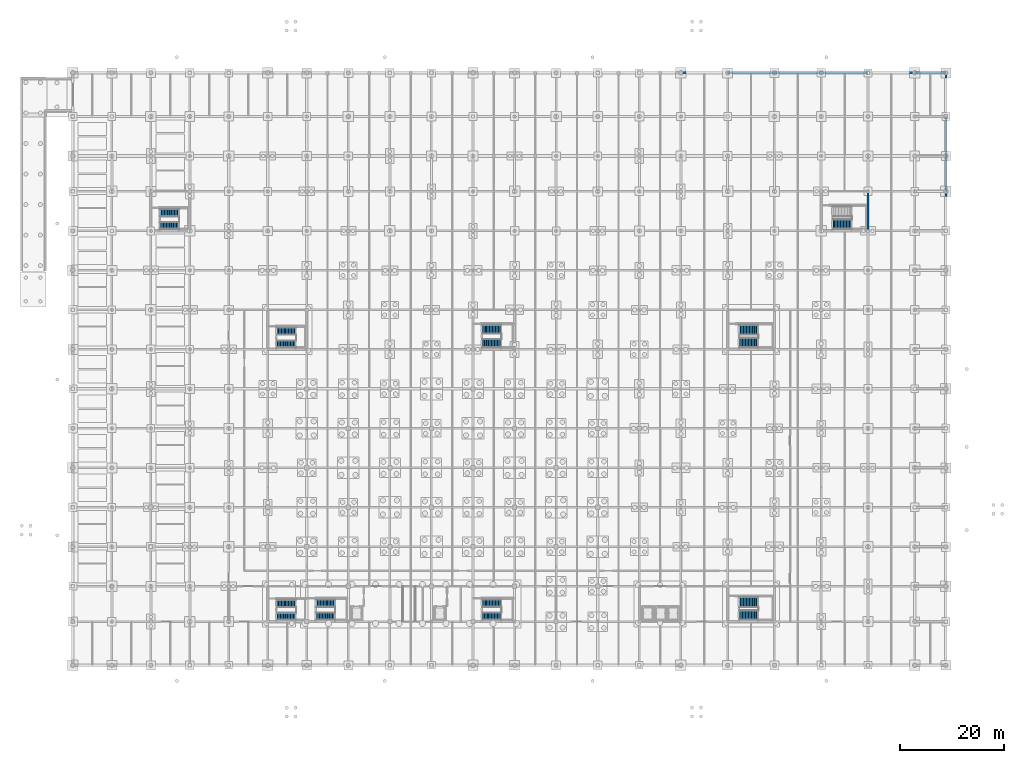
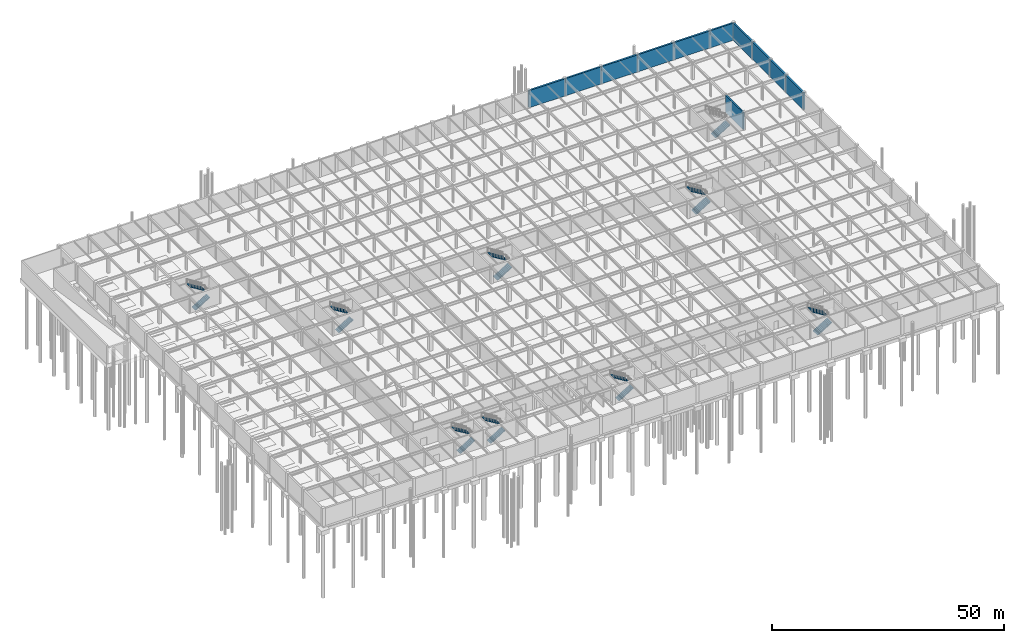
# One storey, part 47 of 53: 17 stair flights, 11 walls, 9 elements without a shape of their own.
"""IFC4 building model written with IfcOpenShell, lengths in metres."""

from ifc_helpers import new_model, si_unit, direction, frame, frame_2d, origin, place, context, subcontext, project, spatial, polyline, rectangle, outline, extrude, material, layer, layer_set, type_object, element, aggregate, save


model = new_model("IFC4")

# Units and contexts
model_context = context("Model", 3, precision=1e-05, world=origin(), true_north=direction((0.0, 1.0)))
body_context = subcontext(model_context, "Body", "Model", "MODEL_VIEW")
ifc_project = project(units=[si_unit("LENGTHUNIT", "METRE"), si_unit("AREAUNIT", "SQUARE_METRE"), si_unit("VOLUMEUNIT", "CUBIC_METRE"), si_unit("PLANEANGLEUNIT", "RADIAN"), si_unit("MASSUNIT", "GRAM", prefix="KILO")], contexts=[model_context])

# Site, building, storey
site_placement = place(None, origin())
site = spatial("IfcSite", under=ifc_project, at=site_placement, CompositionType="ELEMENT")
building_placement = place(site_placement, origin())
building = spatial("IfcBuilding", under=site, at=building_placement, Name="Shalkamar Park Central Library", CompositionType="ELEMENT")
storey_placement = place(building_placement, frame((0.0, 0.0, -4.800048828125)))
storey = spatial("IfcBuildingStorey", under=building, at=storey_placement, Name="B1", CompositionType="ELEMENT", Elevation=-4.800048828125)

# Walls
ifc_material_1 = material(Name="Concrete C40/50", Category="concrete")
ifc_layer_1 = layer(ifc_material_1, 0.449951171875)
ifc_layer_set_1 = layer_set([ifc_layer_1], Name="Concrete C40/50")
wall_type_1 = type_object("IfcWallType", Name="Basement Retaining Shear Wall 450", PredefinedType="SHEAR", material=ifc_layer_set_1)
for number, where, z_axis, x_axis, name in (
    (1, (237.0, 354.0, 0.0), (0.0, 0.0, 1.0), (1.0, 0.0, 0.0), "Basement Retaining Wall N-16"),
    (2, (246.0, 354.0, 0.0), (0.0, 0.0, 1.0), (1.0, 0.0, 0.0), "Basement Retaining Wall N-17"),
    (3, (255.0, 354.0, 0.0), (0.0, 0.0, 1.0), (1.0, 0.0, 0.0), "Basement Retaining Wall N-18"),
    (4, (264.0, 354.0, 0.0), (0.0, 0.0, 1.0), (1.0, 0.0, 0.0), "Basement Retaining Wall N-19"),
    (5, (273.0, 354.0, 0.0), (0.0, 0.0, 1.0), (1.0, 0.0, 0.0), "Basement Retaining Wall N-20"),
):
    element("IfcWall", number, at=place(storey_placement, frame(where, z_axis=z_axis, x_axis=x_axis)), inside=storey, type_object=wall_type_1, Name=name, PredefinedType="SHEAR", context=body_context, shape_type="SweptSolid", body=[
        extrude(rectangle(XDim=9.0, YDim=0.449951171875, at=frame_2d((4.5, 0.0))), origin(), (0.0, 0.0, 1.0), 4.510009765625),
    ])
wall_1_placement = place(storey_placement, frame((282.0, 354.0, 0.0), z_axis=(0.0, 0.0, 1.0), x_axis=(1.0, 0.0, 0.0)))
element("IfcWall", 6, at=wall_1_placement, inside=storey, type_object=wall_type_1, Name="Basement Retaining Wall N-21", PredefinedType="SHEAR", context=body_context, shape_type="SweptSolid", body=[
    extrude(rectangle(XDim=6.0, YDim=0.449951171875, at=frame_2d((3.0, 0.0))), origin(), (0.0, 0.0, 1.0), 4.510009765625),
])
wall_2_placement = place(storey_placement, frame((288.0, 323.60009765625, 0.0), z_axis=(0.0, 0.0, 1.0), x_axis=(0.0, 1.0, 0.0)))
element("IfcWall", 7, at=wall_2_placement, inside=storey, type_object=wall_type_1, Name="Basement Retaining Wall E-M", PredefinedType="SHEAR", context=body_context, shape_type="SweptSolid", body=[
    extrude(rectangle(XDim=7.599853515625, YDim=0.449951171875, at=frame_2d((3.7998046875, 0.0))), origin(), (0.0, 0.0, 1.0), 4.510009765625),
])
wall_3_placement = place(storey_placement, frame((288.0, 331.199951171875, 0.0), z_axis=(0.0, 0.0, 1.0), x_axis=(0.0, 1.0, 0.0)))
element("IfcWall", 8, at=wall_3_placement, inside=storey, type_object=wall_type_1, Name="Basement Retaining Wall E-N", PredefinedType="SHEAR", context=body_context, shape_type="SweptSolid", body=[
    extrude(rectangle(XDim=6.800048828125, YDim=0.449951171875, at=frame_2d((3.39990234375, 0.0))), origin(), (0.0, 0.0, 1.0), 4.510009765625),
])
wall_4_placement = place(storey_placement, frame((288.0, 338.0, 0.0), z_axis=(0.0, 0.0, 1.0), x_axis=(0.0, 1.0, 0.0)))
element("IfcWall", 9, at=wall_4_placement, inside=storey, type_object=wall_type_1, Name="Basement Retaining Wall E-P", PredefinedType="SHEAR", context=body_context, shape_type="SweptSolid", body=[
    extrude(rectangle(XDim=7.60009765625, YDim=0.449951171875, at=frame_2d((3.800048828125, 0.0))), origin(), (0.0, 0.0, 1.0), 4.510009765625),
])
wall_5_placement = place(storey_placement, frame((288.0, 345.60009765625, 0.0), z_axis=(0.0, 0.0, 1.0), x_axis=(0.0, 1.0, 0.0)))
element("IfcWall", 10, at=wall_5_placement, inside=storey, type_object=wall_type_1, Name="Basement Retaining Wall E-Q", PredefinedType="SHEAR", context=body_context, shape_type="SweptSolid", body=[
    extrude(rectangle(XDim=8.39990234375, YDim=0.449951171875, at=frame_2d((4.199951171875, 0.0))), origin(), (0.0, 0.0, 1.0), 4.510009765625),
])
ifc_layer_2 = layer(ifc_material_1, 0.35009765625)
ifc_layer_set_2 = layer_set([ifc_layer_2], Name="Concrete C40/50")
wall_type_2 = type_object("IfcWallType", Name="Podium Core Shear Wall 350", PredefinedType="SHEAR", material=ifc_layer_set_2)
wall_6_placement = place(storey_placement, frame((273.0, 323.60009765625, 0.0), z_axis=(0.0, 0.0, 1.0), x_axis=(0.0, 1.0, 0.0)))
element("IfcWall", 11, at=wall_6_placement, inside=storey, type_object=wall_type_2, Name="CORE-P6 East Shear Wall (B1)", PredefinedType="SHEAR", context=body_context, shape_type="SweptSolid", body=[
    extrude(rectangle(XDim=7.599853515625, YDim=0.35009765625, at=frame_2d((3.7998046875, 0.0))), origin(), (0.0, 0.0, 1.0), 4.510009765625),
])

# Stair, stair flights
ifc_material_2 = material(Name="Concrete C35/45", Category="concrete")
stair_type_1 = type_object("IfcStairType", Name="Protected Dog Leg Stair 150x480", PredefinedType="TWO_STRAIGHT_RUN_STAIR", material=ifc_material_2)
stair_1_placement = place(storey_placement, origin())
stair_1 = element("IfcStair", 12, at=stair_1_placement, inside=storey, type_object=stair_type_1, Name="Protected Core Stair ST-T1-B1", PredefinedType="TWO_STRAIGHT_RUN_STAIR")
stair_flight_type_1 = type_object("IfcStairFlightType", Name="Straight Stair Flight 150x480", PredefinedType="STRAIGHT", material=ifc_material_2)
stair_flight_1_placement = place(storey_placement, frame((166.6201171875, 249.389892578125, 0.0), z_axis=(0.0, 0.0, 1.0), x_axis=(1.0, 0.0, 0.0)))
stair_flight_1 = element("IfcStairFlight", 13, at=stair_flight_1_placement, type_object=stair_flight_type_1, Name="ST-T1-B1 flight 1", NumberOfRisers=14, NumberOfTreads=13, PredefinedType="STRAIGHT", RiserHeight=0.171429, TreadLength=0.28, context=body_context, shape_type="SweptSolid", body=[
    extrude(outline(polyline([(0.0, 0.0), (0.0, 0.17138671875), (0.280029296875, 0.17138671875), (0.280029296875, 0.3427734375), (0.56005859375, 0.3427734375), (0.56005859375, 0.514404296875), (0.840087890625, 0.514404296875), (0.840087890625, 0.685791015625), (1.1201171875, 0.685791015625), (1.1201171875, 0.857177734375), (1.39990234375, 0.857177734375), (1.39990234375, 1.028564453125), (1.679931640625, 1.028564453125), (1.679931640625, 1.199951171875), (1.9599609375, 1.199951171875), (1.9599609375, 1.371337890625), (2.239990234375, 1.371337890625), (2.239990234375, 1.54296875), (2.52001953125, 1.54296875), (2.52001953125, 1.71435546875), (2.800048828125, 1.71435546875), (2.800048828125, 1.8857421875), (3.080078125, 1.8857421875), (3.080078125, 2.05712890625), (3.360107421875, 2.05712890625), (3.360107421875, 2.228515625), (3.639892578125, 2.228515625), (3.639892578125, 2.39990234375), (3.639892578125, 2.052734375), (0.287109375, 0.0), (0.0, 0.0)])), frame((0.0, 0.75, 0.0), z_axis=(0.0, -1.0, 0.0), x_axis=(1.0, 0.0, 0.0)), (0.0, 0.0, 1.0), 1.5),
])
stair_flight_2_placement = place(storey_placement, frame((170.43994140625, 251.909912109375, 2.400146484375), z_axis=(0.0, 0.0, 1.0), x_axis=(-1.0, 0.0, 0.0)))
stair_flight_2 = element("IfcStairFlight", 14, at=stair_flight_2_placement, type_object=stair_flight_type_1, Name="ST-T1-B1 flight 2", NumberOfRisers=14, NumberOfTreads=13, PredefinedType="STRAIGHT", RiserHeight=0.171429, TreadLength=0.28, context=body_context, shape_type="SweptSolid", body=[
    extrude(outline(polyline([(0.0, 0.0), (0.0, 0.17138671875), (0.280029296875, 0.17138671875), (0.280029296875, 0.3427734375), (0.56005859375, 0.3427734375), (0.56005859375, 0.514404296875), (0.840087890625, 0.514404296875), (0.840087890625, 0.685791015625), (1.1201171875, 0.685791015625), (1.1201171875, 0.857177734375), (1.39990234375, 0.857177734375), (1.39990234375, 1.028564453125), (1.679931640625, 1.028564453125), (1.679931640625, 1.199951171875), (1.9599609375, 1.199951171875), (1.9599609375, 1.371337890625), (2.239990234375, 1.371337890625), (2.239990234375, 1.54296875), (2.52001953125, 1.54296875), (2.52001953125, 1.71435546875), (2.800048828125, 1.71435546875), (2.800048828125, 1.8857421875), (3.080078125, 1.8857421875), (3.080078125, 2.05712890625), (3.360107421875, 2.05712890625), (3.360107421875, 2.228515625), (3.639892578125, 2.228515625), (3.639892578125, 2.39990234375), (3.639892578125, 2.052734375), (0.287109375, 0.0), (0.0, 0.0)])), frame((0.0, 0.75, 0.0), z_axis=(0.0, -1.0, 0.0), x_axis=(1.0, 0.0, 0.0)), (0.0, 0.0, 1.0), 1.5),
])
aggregate(stair_1, [stair_flight_1, stair_flight_2])

stair_2_placement = place(storey_placement, origin())
stair_2 = element("IfcStair", 15, at=stair_2_placement, inside=storey, type_object=stair_type_1, Name="Protected Core Stair ST-T2-B1", PredefinedType="TWO_STRAIGHT_RUN_STAIR")
stair_flight_3_placement = place(storey_placement, frame((198.6201171875, 249.389892578125, 0.0), z_axis=(0.0, 0.0, 1.0), x_axis=(1.0, 0.0, 0.0)))
stair_flight_3 = element("IfcStairFlight", 16, at=stair_flight_3_placement, type_object=stair_flight_type_1, Name="ST-T2-B1 flight 1", NumberOfRisers=14, NumberOfTreads=13, PredefinedType="STRAIGHT", RiserHeight=0.171429, TreadLength=0.28, context=body_context, shape_type="SweptSolid", body=[
    extrude(outline(polyline([(0.0, 0.0), (0.0, 0.17138671875), (0.280029296875, 0.17138671875), (0.280029296875, 0.3427734375), (0.56005859375, 0.3427734375), (0.56005859375, 0.514404296875), (0.840087890625, 0.514404296875), (0.840087890625, 0.685791015625), (1.1201171875, 0.685791015625), (1.1201171875, 0.857177734375), (1.39990234375, 0.857177734375), (1.39990234375, 1.028564453125), (1.679931640625, 1.028564453125), (1.679931640625, 1.199951171875), (1.9599609375, 1.199951171875), (1.9599609375, 1.371337890625), (2.239990234375, 1.371337890625), (2.239990234375, 1.54296875), (2.52001953125, 1.54296875), (2.52001953125, 1.71435546875), (2.800048828125, 1.71435546875), (2.800048828125, 1.8857421875), (3.080078125, 1.8857421875), (3.080078125, 2.05712890625), (3.360107421875, 2.05712890625), (3.360107421875, 2.228515625), (3.639892578125, 2.228515625), (3.639892578125, 2.39990234375), (3.639892578125, 2.052734375), (0.287109375, 0.0), (0.0, 0.0)])), frame((0.0, 0.75, 0.0), z_axis=(0.0, -1.0, 0.0), x_axis=(1.0, 0.0, 0.0)), (0.0, 0.0, 1.0), 1.5),
])
stair_flight_4_placement = place(storey_placement, frame((202.43994140625, 251.909912109375, 2.400146484375), z_axis=(0.0, 0.0, 1.0), x_axis=(-1.0, 0.0, 0.0)))
stair_flight_4 = element("IfcStairFlight", 17, at=stair_flight_4_placement, type_object=stair_flight_type_1, Name="ST-T2-B1 flight 2", NumberOfRisers=14, NumberOfTreads=13, PredefinedType="STRAIGHT", RiserHeight=0.171429, TreadLength=0.28, context=body_context, shape_type="SweptSolid", body=[
    extrude(outline(polyline([(0.0, 0.0), (0.0, 0.17138671875), (0.280029296875, 0.17138671875), (0.280029296875, 0.3427734375), (0.56005859375, 0.3427734375), (0.56005859375, 0.514404296875), (0.840087890625, 0.514404296875), (0.840087890625, 0.685791015625), (1.1201171875, 0.685791015625), (1.1201171875, 0.857177734375), (1.39990234375, 0.857177734375), (1.39990234375, 1.028564453125), (1.679931640625, 1.028564453125), (1.679931640625, 1.199951171875), (1.9599609375, 1.199951171875), (1.9599609375, 1.371337890625), (2.239990234375, 1.371337890625), (2.239990234375, 1.54296875), (2.52001953125, 1.54296875), (2.52001953125, 1.71435546875), (2.800048828125, 1.71435546875), (2.800048828125, 1.8857421875), (3.080078125, 1.8857421875), (3.080078125, 2.05712890625), (3.360107421875, 2.05712890625), (3.360107421875, 2.228515625), (3.639892578125, 2.228515625), (3.639892578125, 2.39990234375), (3.639892578125, 2.052734375), (0.287109375, 0.0), (0.0, 0.0)])), frame((0.0, 0.75, 0.0), z_axis=(0.0, -1.0, 0.0), x_axis=(1.0, 0.0, 0.0)), (0.0, 0.0, 1.0), 1.5),
])
aggregate(stair_2, [stair_flight_3, stair_flight_4])

stair_3_placement = place(storey_placement, origin())
stair_3 = element("IfcStair", 18, at=stair_3_placement, inside=storey, type_object=stair_type_1, Name="Protected Core Stair ST-P1-B1", PredefinedType="TWO_STRAIGHT_RUN_STAIR")
stair_flight_5_placement = place(storey_placement, frame((159.094970703125, 249.364990234375, 0.0), z_axis=(0.0, 0.0, 1.0), x_axis=(1.0, 0.0, 0.0)))
stair_flight_5 = element("IfcStairFlight", 19, at=stair_flight_5_placement, type_object=stair_flight_type_1, Name="ST-P1-B1 flight 1", NumberOfRisers=14, NumberOfTreads=13, PredefinedType="STRAIGHT", RiserHeight=0.171429, TreadLength=0.28, context=body_context, shape_type="SweptSolid", body=[
    extrude(outline(polyline([(0.0, 0.0), (0.0, 0.17138671875), (0.280029296875, 0.17138671875), (0.280029296875, 0.3427734375), (0.56005859375, 0.3427734375), (0.56005859375, 0.514404296875), (0.840087890625, 0.514404296875), (0.840087890625, 0.685791015625), (1.1201171875, 0.685791015625), (1.1201171875, 0.857177734375), (1.39990234375, 0.857177734375), (1.39990234375, 1.028564453125), (1.679931640625, 1.028564453125), (1.679931640625, 1.199951171875), (1.9599609375, 1.199951171875), (1.9599609375, 1.371337890625), (2.239990234375, 1.371337890625), (2.239990234375, 1.54296875), (2.52001953125, 1.54296875), (2.52001953125, 1.71435546875), (2.800048828125, 1.71435546875), (2.800048828125, 1.8857421875), (3.080078125, 1.8857421875), (3.080078125, 2.05712890625), (3.360107421875, 2.05712890625), (3.360107421875, 2.228515625), (3.639892578125, 2.228515625), (3.639892578125, 2.39990234375), (3.639892578125, 2.052734375), (0.287109375, 0.0), (0.0, 0.0)])), frame((0.0, 0.75, 0.0), z_axis=(0.0, -1.0, 0.0), x_axis=(1.0, 0.0, 0.0)), (0.0, 0.0, 1.0), 1.5),
])
stair_flight_6_placement = place(storey_placement, frame((162.9150390625, 251.885009765625, 2.400146484375), z_axis=(0.0, 0.0, 1.0), x_axis=(-1.0, 0.0, 0.0)))
stair_flight_6 = element("IfcStairFlight", 20, at=stair_flight_6_placement, type_object=stair_flight_type_1, Name="ST-P1-B1 flight 2", NumberOfRisers=14, NumberOfTreads=13, PredefinedType="STRAIGHT", RiserHeight=0.171429, TreadLength=0.28, context=body_context, shape_type="SweptSolid", body=[
    extrude(outline(polyline([(0.0, 0.0), (0.0, 0.17138671875), (0.280029296875, 0.17138671875), (0.280029296875, 0.3427734375), (0.56005859375, 0.3427734375), (0.56005859375, 0.514404296875), (0.840087890625, 0.514404296875), (0.840087890625, 0.685791015625), (1.1201171875, 0.685791015625), (1.1201171875, 0.857177734375), (1.39990234375, 0.857177734375), (1.39990234375, 1.028564453125), (1.679931640625, 1.028564453125), (1.679931640625, 1.199951171875), (1.9599609375, 1.199951171875), (1.9599609375, 1.371337890625), (2.239990234375, 1.371337890625), (2.239990234375, 1.54296875), (2.52001953125, 1.54296875), (2.52001953125, 1.71435546875), (2.800048828125, 1.71435546875), (2.800048828125, 1.8857421875), (3.080078125, 1.8857421875), (3.080078125, 2.05712890625), (3.360107421875, 2.05712890625), (3.360107421875, 2.228515625), (3.639892578125, 2.228515625), (3.639892578125, 2.39990234375), (3.639892578125, 2.052734375), (0.287109375, 0.0), (0.0, 0.0)])), frame((0.0, 0.75, 0.0), z_axis=(0.0, -1.0, 0.0), x_axis=(1.0, 0.0, 0.0)), (0.0, 0.0, 1.0), 1.5),
])
aggregate(stair_3, [stair_flight_5, stair_flight_6])

stair_4_placement = place(storey_placement, origin())
stair_4 = element("IfcStair", 21, at=stair_4_placement, inside=storey, type_object=stair_type_1, Name="Protected Core Stair ST-P2-B1", PredefinedType="TWO_STRAIGHT_RUN_STAIR")
stair_flight_7_placement = place(storey_placement, frame((159.094970703125, 301.764892578125, 0.0), z_axis=(0.0, 0.0, 1.0), x_axis=(1.0, 0.0, 0.0)))
stair_flight_7 = element("IfcStairFlight", 22, at=stair_flight_7_placement, type_object=stair_flight_type_1, Name="ST-P2-B1 flight 1", NumberOfRisers=14, NumberOfTreads=13, PredefinedType="STRAIGHT", RiserHeight=0.171429, TreadLength=0.28, context=body_context, shape_type="SweptSolid", body=[
    extrude(outline(polyline([(0.0, 0.0), (0.0, 0.17138671875), (0.280029296875, 0.17138671875), (0.280029296875, 0.3427734375), (0.56005859375, 0.3427734375), (0.56005859375, 0.514404296875), (0.840087890625, 0.514404296875), (0.840087890625, 0.685791015625), (1.1201171875, 0.685791015625), (1.1201171875, 0.857177734375), (1.39990234375, 0.857177734375), (1.39990234375, 1.028564453125), (1.679931640625, 1.028564453125), (1.679931640625, 1.199951171875), (1.9599609375, 1.199951171875), (1.9599609375, 1.371337890625), (2.239990234375, 1.371337890625), (2.239990234375, 1.54296875), (2.52001953125, 1.54296875), (2.52001953125, 1.71435546875), (2.800048828125, 1.71435546875), (2.800048828125, 1.8857421875), (3.080078125, 1.8857421875), (3.080078125, 2.05712890625), (3.360107421875, 2.05712890625), (3.360107421875, 2.228515625), (3.639892578125, 2.228515625), (3.639892578125, 2.39990234375), (3.639892578125, 2.052734375), (0.287109375, 0.0), (0.0, 0.0)])), frame((0.0, 0.75, 0.0), z_axis=(0.0, -1.0, 0.0), x_axis=(1.0, 0.0, 0.0)), (0.0, 0.0, 1.0), 1.5),
])
stair_flight_8_placement = place(storey_placement, frame((162.9150390625, 304.284912109375, 2.400146484375), z_axis=(0.0, 0.0, 1.0), x_axis=(-1.0, 0.0, 0.0)))
stair_flight_8 = element("IfcStairFlight", 23, at=stair_flight_8_placement, type_object=stair_flight_type_1, Name="ST-P2-B1 flight 2", NumberOfRisers=14, NumberOfTreads=13, PredefinedType="STRAIGHT", RiserHeight=0.171429, TreadLength=0.28, context=body_context, shape_type="SweptSolid", body=[
    extrude(outline(polyline([(0.0, 0.0), (0.0, 0.17138671875), (0.280029296875, 0.17138671875), (0.280029296875, 0.3427734375), (0.56005859375, 0.3427734375), (0.56005859375, 0.514404296875), (0.840087890625, 0.514404296875), (0.840087890625, 0.685791015625), (1.1201171875, 0.685791015625), (1.1201171875, 0.857177734375), (1.39990234375, 0.857177734375), (1.39990234375, 1.028564453125), (1.679931640625, 1.028564453125), (1.679931640625, 1.199951171875), (1.9599609375, 1.199951171875), (1.9599609375, 1.371337890625), (2.239990234375, 1.371337890625), (2.239990234375, 1.54296875), (2.52001953125, 1.54296875), (2.52001953125, 1.71435546875), (2.800048828125, 1.71435546875), (2.800048828125, 1.8857421875), (3.080078125, 1.8857421875), (3.080078125, 2.05712890625), (3.360107421875, 2.05712890625), (3.360107421875, 2.228515625), (3.639892578125, 2.228515625), (3.639892578125, 2.39990234375), (3.639892578125, 2.052734375), (0.287109375, 0.0), (0.0, 0.0)])), frame((0.0, 0.75, 0.0), z_axis=(0.0, -1.0, 0.0), x_axis=(1.0, 0.0, 0.0)), (0.0, 0.0, 1.0), 1.5),
])
aggregate(stair_4, [stair_flight_7, stair_flight_8])

stair_5_placement = place(storey_placement, origin())
stair_5 = element("IfcStair", 24, at=stair_5_placement, inside=storey, type_object=stair_type_1, Name="Protected Core Stair ST-P5-B1", PredefinedType="TWO_STRAIGHT_RUN_STAIR")
stair_flight_9_placement = place(storey_placement, frame((136.594970703125, 324.56494140625, 0.0), z_axis=(0.0, 0.0, 1.0), x_axis=(1.0, 0.0, 0.0)))
stair_flight_9 = element("IfcStairFlight", 25, at=stair_flight_9_placement, type_object=stair_flight_type_1, Name="ST-P5-B1 flight 1", NumberOfRisers=14, NumberOfTreads=13, PredefinedType="STRAIGHT", RiserHeight=0.171429, TreadLength=0.28, context=body_context, shape_type="SweptSolid", body=[
    extrude(outline(polyline([(0.0, 0.0), (0.0, 0.17138671875), (0.280029296875, 0.17138671875), (0.280029296875, 0.3427734375), (0.56005859375, 0.3427734375), (0.56005859375, 0.514404296875), (0.840087890625, 0.514404296875), (0.840087890625, 0.685791015625), (1.1201171875, 0.685791015625), (1.1201171875, 0.857177734375), (1.39990234375, 0.857177734375), (1.39990234375, 1.028564453125), (1.679931640625, 1.028564453125), (1.679931640625, 1.199951171875), (1.9599609375, 1.199951171875), (1.9599609375, 1.371337890625), (2.239990234375, 1.371337890625), (2.239990234375, 1.54296875), (2.52001953125, 1.54296875), (2.52001953125, 1.71435546875), (2.800048828125, 1.71435546875), (2.800048828125, 1.8857421875), (3.080078125, 1.8857421875), (3.080078125, 2.05712890625), (3.360107421875, 2.05712890625), (3.360107421875, 2.228515625), (3.639892578125, 2.228515625), (3.639892578125, 2.39990234375), (3.639892578125, 2.052734375), (0.287109375, 0.0), (0.0, 0.0)])), frame((0.0, 0.75, 0.0), z_axis=(0.0, -1.0, 0.0), x_axis=(1.0, 0.0, 0.0)), (0.0, 0.0, 1.0), 1.5),
])
stair_flight_10_placement = place(storey_placement, frame((140.4150390625, 327.0849609375, 2.400146484375), z_axis=(0.0, 0.0, 1.0), x_axis=(-1.0, 0.0, 0.0)))
stair_flight_10 = element("IfcStairFlight", 26, at=stair_flight_10_placement, type_object=stair_flight_type_1, Name="ST-P5-B1 flight 2", NumberOfRisers=14, NumberOfTreads=13, PredefinedType="STRAIGHT", RiserHeight=0.171429, TreadLength=0.28, context=body_context, shape_type="SweptSolid", body=[
    extrude(outline(polyline([(0.0, 0.0), (0.0, 0.17138671875), (0.280029296875, 0.17138671875), (0.280029296875, 0.3427734375), (0.56005859375, 0.3427734375), (0.56005859375, 0.514404296875), (0.840087890625, 0.514404296875), (0.840087890625, 0.685791015625), (1.1201171875, 0.685791015625), (1.1201171875, 0.857177734375), (1.39990234375, 0.857177734375), (1.39990234375, 1.028564453125), (1.679931640625, 1.028564453125), (1.679931640625, 1.199951171875), (1.9599609375, 1.199951171875), (1.9599609375, 1.371337890625), (2.239990234375, 1.371337890625), (2.239990234375, 1.54296875), (2.52001953125, 1.54296875), (2.52001953125, 1.71435546875), (2.800048828125, 1.71435546875), (2.800048828125, 1.8857421875), (3.080078125, 1.8857421875), (3.080078125, 2.05712890625), (3.360107421875, 2.05712890625), (3.360107421875, 2.228515625), (3.639892578125, 2.228515625), (3.639892578125, 2.39990234375), (3.639892578125, 2.052734375), (0.287109375, 0.0), (0.0, 0.0)])), frame((0.0, 0.75, 0.0), z_axis=(0.0, -1.0, 0.0), x_axis=(1.0, 0.0, 0.0)), (0.0, 0.0, 1.0), 1.5),
])
aggregate(stair_5, [stair_flight_9, stair_flight_10])

stair_type_2 = type_object("IfcStairType", Name="Protected Dog Leg Stair 180x480", PredefinedType="TWO_STRAIGHT_RUN_STAIR", material=ifc_material_2)
stair_6_placement = place(storey_placement, origin())
stair_6 = element("IfcStair", 27, at=stair_6_placement, inside=storey, type_object=stair_type_2, Name="Protected Core Stair ST-P7-B1", PredefinedType="TWO_STRAIGHT_RUN_STAIR")
stair_flight_type_2 = type_object("IfcStairFlightType", Name="Straight Stair Flight 180x480", PredefinedType="STRAIGHT", material=ifc_material_2)
stair_flight_11_placement = place(storey_placement, frame((198.614990234375, 301.9150390625, 0.0), z_axis=(0.0, 0.0, 1.0), x_axis=(1.0, 0.0, 0.0)))
stair_flight_11 = element("IfcStairFlight", 28, at=stair_flight_11_placement, type_object=stair_flight_type_2, Name="ST-P7-B1 flight 1", NumberOfRisers=14, NumberOfTreads=13, PredefinedType="STRAIGHT", RiserHeight=0.171429, TreadLength=0.28, context=body_context, shape_type="SweptSolid", body=[
    extrude(outline(polyline([(0.0, 0.0), (0.0, 0.17138671875), (0.280029296875, 0.17138671875), (0.280029296875, 0.3427734375), (0.56005859375, 0.3427734375), (0.56005859375, 0.514404296875), (0.840087890625, 0.514404296875), (0.840087890625, 0.685791015625), (1.1201171875, 0.685791015625), (1.1201171875, 0.857177734375), (1.39990234375, 0.857177734375), (1.39990234375, 1.028564453125), (1.679931640625, 1.028564453125), (1.679931640625, 1.199951171875), (1.9599609375, 1.199951171875), (1.9599609375, 1.371337890625), (2.239990234375, 1.371337890625), (2.239990234375, 1.54296875), (2.52001953125, 1.54296875), (2.52001953125, 1.71435546875), (2.800048828125, 1.71435546875), (2.800048828125, 1.8857421875), (3.080078125, 1.8857421875), (3.080078125, 2.05712890625), (3.360107421875, 2.05712890625), (3.360107421875, 2.228515625), (3.639892578125, 2.228515625), (3.639892578125, 2.39990234375), (3.639892578125, 2.052734375), (0.287109375, 0.0), (0.0, 0.0)])), frame((0.0, 0.89990234375, 0.0), z_axis=(0.0, -1.0, 0.0), x_axis=(1.0, 0.0, 0.0)), (0.0, 0.0, 1.0), 1.800048828125),
])
stair_flight_12_placement = place(storey_placement, frame((202.43505859375, 304.635009765625, 2.400146484375), z_axis=(0.0, 0.0, 1.0), x_axis=(-1.0, 0.0, 0.0)))
stair_flight_12 = element("IfcStairFlight", 29, at=stair_flight_12_placement, type_object=stair_flight_type_2, Name="ST-P7-B1 flight 2", NumberOfRisers=14, NumberOfTreads=13, PredefinedType="STRAIGHT", RiserHeight=0.171429, TreadLength=0.28, context=body_context, shape_type="SweptSolid", body=[
    extrude(outline(polyline([(0.0, 0.0), (0.0, 0.17138671875), (0.280029296875, 0.17138671875), (0.280029296875, 0.3427734375), (0.56005859375, 0.3427734375), (0.56005859375, 0.514404296875), (0.840087890625, 0.514404296875), (0.840087890625, 0.685791015625), (1.1201171875, 0.685791015625), (1.1201171875, 0.857177734375), (1.39990234375, 0.857177734375), (1.39990234375, 1.028564453125), (1.679931640625, 1.028564453125), (1.679931640625, 1.199951171875), (1.9599609375, 1.199951171875), (1.9599609375, 1.371337890625), (2.239990234375, 1.371337890625), (2.239990234375, 1.54296875), (2.52001953125, 1.54296875), (2.52001953125, 1.71435546875), (2.800048828125, 1.71435546875), (2.800048828125, 1.8857421875), (3.080078125, 1.8857421875), (3.080078125, 2.05712890625), (3.360107421875, 2.05712890625), (3.360107421875, 2.228515625), (3.639892578125, 2.228515625), (3.639892578125, 2.39990234375), (3.639892578125, 2.052734375), (0.287109375, 0.0), (0.0, 0.0)])), frame((0.0, 0.89990234375, 0.0), z_axis=(0.0, -1.0, 0.0), x_axis=(1.0, 0.0, 0.0)), (0.0, 0.0, 1.0), 1.800048828125),
])
aggregate(stair_6, [stair_flight_11, stair_flight_12])

stair_type_3 = type_object("IfcStairType", Name="Protected Dog Leg Stair 200x480", PredefinedType="TWO_STRAIGHT_RUN_STAIR", material=ifc_material_2)
stair_7_placement = place(storey_placement, origin())
stair_7 = element("IfcStair", 30, at=stair_7_placement, inside=storey, type_object=stair_type_3, Name="Protected Core Stair ST-P3-B1", PredefinedType="TWO_STRAIGHT_RUN_STAIR")
stair_flight_type_3 = type_object("IfcStairFlightType", Name="Straight Stair Flight 200x480", PredefinedType="STRAIGHT", material=ifc_material_2)
stair_flight_13_placement = place(storey_placement, frame((248.044921875, 249.614990234375, 0.0), z_axis=(0.0, 0.0, 1.0), x_axis=(1.0, 0.0, 0.0)))
stair_flight_13 = element("IfcStairFlight", 31, at=stair_flight_13_placement, type_object=stair_flight_type_3, Name="ST-P3-B1 flight 1", NumberOfRisers=14, NumberOfTreads=13, PredefinedType="STRAIGHT", RiserHeight=0.171429, TreadLength=0.28, context=body_context, shape_type="SweptSolid", body=[
    extrude(outline(polyline([(0.0, 0.0), (0.0, 0.17138671875), (0.280029296875, 0.17138671875), (0.280029296875, 0.3427734375), (0.56005859375, 0.3427734375), (0.56005859375, 0.514404296875), (0.840087890625, 0.514404296875), (0.840087890625, 0.685791015625), (1.1201171875, 0.685791015625), (1.1201171875, 0.857177734375), (1.39990234375, 0.857177734375), (1.39990234375, 1.028564453125), (1.679931640625, 1.028564453125), (1.679931640625, 1.199951171875), (1.9599609375, 1.199951171875), (1.9599609375, 1.371337890625), (2.239990234375, 1.371337890625), (2.239990234375, 1.54296875), (2.52001953125, 1.54296875), (2.52001953125, 1.71435546875), (2.800048828125, 1.71435546875), (2.800048828125, 1.8857421875), (3.080078125, 1.8857421875), (3.080078125, 2.05712890625), (3.360107421875, 2.05712890625), (3.360107421875, 2.228515625), (3.639892578125, 2.228515625), (3.639892578125, 2.39990234375), (3.639892578125, 2.052734375), (0.287109375, 0.0), (0.0, 0.0)])), frame((0.0, 1.0, 0.0), z_axis=(0.0, -1.0, 0.0), x_axis=(1.0, 0.0, 0.0)), (0.0, 0.0, 1.0), 2.0),
])
stair_flight_14_placement = place(storey_placement, frame((251.864990234375, 252.135009765625, 2.400146484375), z_axis=(0.0, 0.0, 1.0), x_axis=(-1.0, 0.0, 0.0)))
stair_flight_14 = element("IfcStairFlight", 32, at=stair_flight_14_placement, type_object=stair_flight_type_3, Name="ST-P3-B1 flight 2", NumberOfRisers=14, NumberOfTreads=13, PredefinedType="STRAIGHT", RiserHeight=0.171429, TreadLength=0.28, context=body_context, shape_type="SweptSolid", body=[
    extrude(outline(polyline([(0.0, 0.0), (0.0, 0.17138671875), (0.280029296875, 0.17138671875), (0.280029296875, 0.3427734375), (0.56005859375, 0.3427734375), (0.56005859375, 0.514404296875), (0.840087890625, 0.514404296875), (0.840087890625, 0.685791015625), (1.1201171875, 0.685791015625), (1.1201171875, 0.857177734375), (1.39990234375, 0.857177734375), (1.39990234375, 1.028564453125), (1.679931640625, 1.028564453125), (1.679931640625, 1.199951171875), (1.9599609375, 1.199951171875), (1.9599609375, 1.371337890625), (2.239990234375, 1.371337890625), (2.239990234375, 1.54296875), (2.52001953125, 1.54296875), (2.52001953125, 1.71435546875), (2.800048828125, 1.71435546875), (2.800048828125, 1.8857421875), (3.080078125, 1.8857421875), (3.080078125, 2.05712890625), (3.360107421875, 2.05712890625), (3.360107421875, 2.228515625), (3.639892578125, 2.228515625), (3.639892578125, 2.39990234375), (3.639892578125, 2.052734375), (0.287109375, 0.0), (0.0, 0.0)])), frame((0.0, 1.0, 0.0), z_axis=(0.0, -1.0, 0.0), x_axis=(1.0, 0.0, 0.0)), (0.0, 0.0, 1.0), 2.0),
])
aggregate(stair_7, [stair_flight_13, stair_flight_14])

stair_8_placement = place(storey_placement, origin())
stair_8 = element("IfcStair", 33, at=stair_8_placement, inside=storey, type_object=stair_type_3, Name="Protected Core Stair ST-P4-B1", PredefinedType="TWO_STRAIGHT_RUN_STAIR")
stair_flight_15_placement = place(storey_placement, frame((248.044921875, 302.014892578125, 0.0), z_axis=(0.0, 0.0, 1.0), x_axis=(1.0, 0.0, 0.0)))
stair_flight_15 = element("IfcStairFlight", 34, at=stair_flight_15_placement, type_object=stair_flight_type_3, Name="ST-P4-B1 flight 1", NumberOfRisers=14, NumberOfTreads=13, PredefinedType="STRAIGHT", RiserHeight=0.171429, TreadLength=0.28, context=body_context, shape_type="SweptSolid", body=[
    extrude(outline(polyline([(0.0, 0.0), (0.0, 0.17138671875), (0.280029296875, 0.17138671875), (0.280029296875, 0.3427734375), (0.56005859375, 0.3427734375), (0.56005859375, 0.514404296875), (0.840087890625, 0.514404296875), (0.840087890625, 0.685791015625), (1.1201171875, 0.685791015625), (1.1201171875, 0.857177734375), (1.39990234375, 0.857177734375), (1.39990234375, 1.028564453125), (1.679931640625, 1.028564453125), (1.679931640625, 1.199951171875), (1.9599609375, 1.199951171875), (1.9599609375, 1.371337890625), (2.239990234375, 1.371337890625), (2.239990234375, 1.54296875), (2.52001953125, 1.54296875), (2.52001953125, 1.71435546875), (2.800048828125, 1.71435546875), (2.800048828125, 1.8857421875), (3.080078125, 1.8857421875), (3.080078125, 2.05712890625), (3.360107421875, 2.05712890625), (3.360107421875, 2.228515625), (3.639892578125, 2.228515625), (3.639892578125, 2.39990234375), (3.639892578125, 2.052734375), (0.287109375, 0.0), (0.0, 0.0)])), frame((0.0, 1.0, 0.0), z_axis=(0.0, -1.0, 0.0), x_axis=(1.0, 0.0, 0.0)), (0.0, 0.0, 1.0), 2.0),
])
stair_flight_16_placement = place(storey_placement, frame((251.864990234375, 304.534912109375, 2.400146484375), z_axis=(0.0, 0.0, 1.0), x_axis=(-1.0, 0.0, 0.0)))
stair_flight_16 = element("IfcStairFlight", 35, at=stair_flight_16_placement, type_object=stair_flight_type_3, Name="ST-P4-B1 flight 2", NumberOfRisers=14, NumberOfTreads=13, PredefinedType="STRAIGHT", RiserHeight=0.171429, TreadLength=0.28, context=body_context, shape_type="SweptSolid", body=[
    extrude(outline(polyline([(0.0, 0.0), (0.0, 0.17138671875), (0.280029296875, 0.17138671875), (0.280029296875, 0.3427734375), (0.56005859375, 0.3427734375), (0.56005859375, 0.514404296875), (0.840087890625, 0.514404296875), (0.840087890625, 0.685791015625), (1.1201171875, 0.685791015625), (1.1201171875, 0.857177734375), (1.39990234375, 0.857177734375), (1.39990234375, 1.028564453125), (1.679931640625, 1.028564453125), (1.679931640625, 1.199951171875), (1.9599609375, 1.199951171875), (1.9599609375, 1.371337890625), (2.239990234375, 1.371337890625), (2.239990234375, 1.54296875), (2.52001953125, 1.54296875), (2.52001953125, 1.71435546875), (2.800048828125, 1.71435546875), (2.800048828125, 1.8857421875), (3.080078125, 1.8857421875), (3.080078125, 2.05712890625), (3.360107421875, 2.05712890625), (3.360107421875, 2.228515625), (3.639892578125, 2.228515625), (3.639892578125, 2.39990234375), (3.639892578125, 2.052734375), (0.287109375, 0.0), (0.0, 0.0)])), frame((0.0, 1.0, 0.0), z_axis=(0.0, -1.0, 0.0), x_axis=(1.0, 0.0, 0.0)), (0.0, 0.0, 1.0), 2.0),
])
aggregate(stair_8, [stair_flight_15, stair_flight_16])

# Stair, stair flight
stair_9_placement = place(storey_placement, origin())
stair_9 = element("IfcStair", 36, at=stair_9_placement, inside=storey, type_object=stair_type_3, Name="Protected Core Stair ST-P6-B1", PredefinedType="TWO_STRAIGHT_RUN_STAIR")
stair_flight_17_placement = place(storey_placement, frame((266.044921875, 324.81494140625, 0.0), z_axis=(0.0, 0.0, 1.0), x_axis=(1.0, 0.0, 0.0)))
stair_flight_17 = element("IfcStairFlight", 37, at=stair_flight_17_placement, type_object=stair_flight_type_3, Name="ST-P6-B1 flight 1", NumberOfRisers=14, NumberOfTreads=13, PredefinedType="STRAIGHT", RiserHeight=0.171429, TreadLength=0.28, context=body_context, shape_type="SweptSolid", body=[
    extrude(outline(polyline([(0.0, 0.0), (0.0, 0.17138671875), (0.280029296875, 0.17138671875), (0.280029296875, 0.3427734375), (0.56005859375, 0.3427734375), (0.56005859375, 0.514404296875), (0.840087890625, 0.514404296875), (0.840087890625, 0.685791015625), (1.1201171875, 0.685791015625), (1.1201171875, 0.857177734375), (1.39990234375, 0.857177734375), (1.39990234375, 1.028564453125), (1.679931640625, 1.028564453125), (1.679931640625, 1.199951171875), (1.9599609375, 1.199951171875), (1.9599609375, 1.371337890625), (2.239990234375, 1.371337890625), (2.239990234375, 1.54296875), (2.52001953125, 1.54296875), (2.52001953125, 1.71435546875), (2.800048828125, 1.71435546875), (2.800048828125, 1.8857421875), (3.080078125, 1.8857421875), (3.080078125, 2.05712890625), (3.360107421875, 2.05712890625), (3.360107421875, 2.228515625), (3.639892578125, 2.228515625), (3.639892578125, 2.39990234375), (3.639892578125, 2.052734375), (0.287109375, 0.0), (0.0, 0.0)])), frame((0.0, 1.0, 0.0), z_axis=(0.0, -1.0, 0.0), x_axis=(1.0, 0.0, 0.0)), (0.0, 0.0, 1.0), 2.0),
])
aggregate(stair_9, [stair_flight_17])

save(model, "model.ifc")
